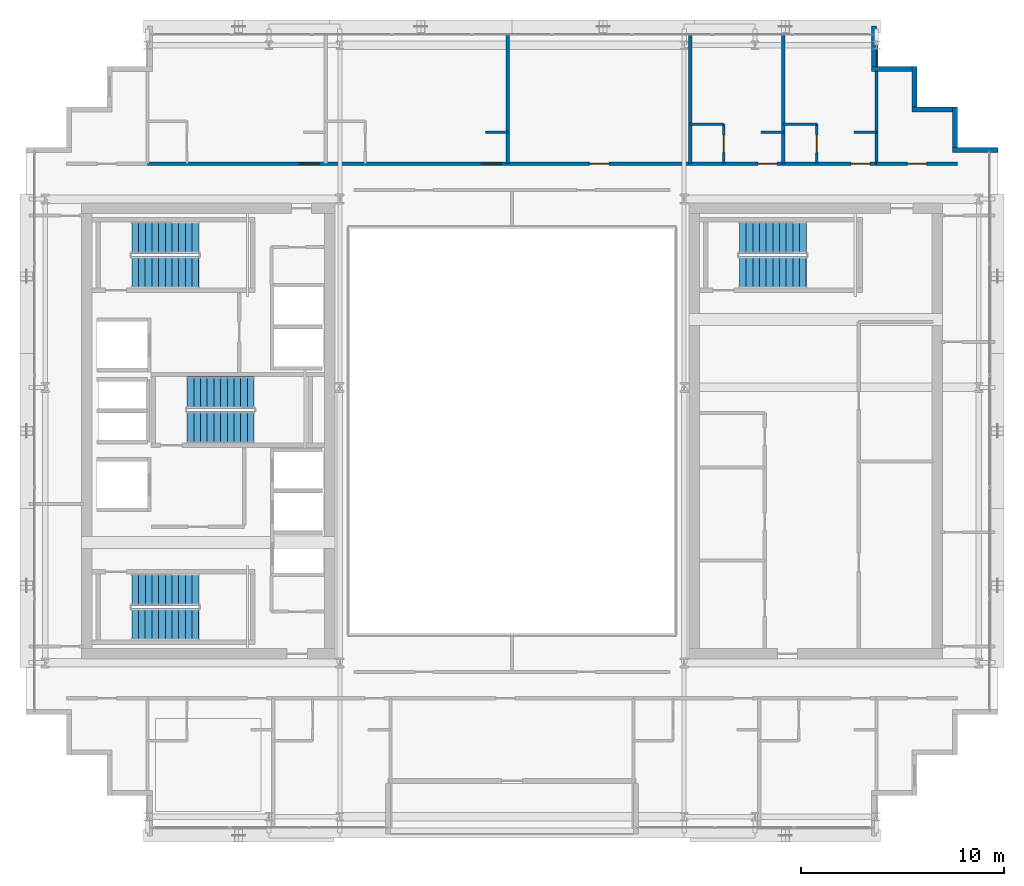
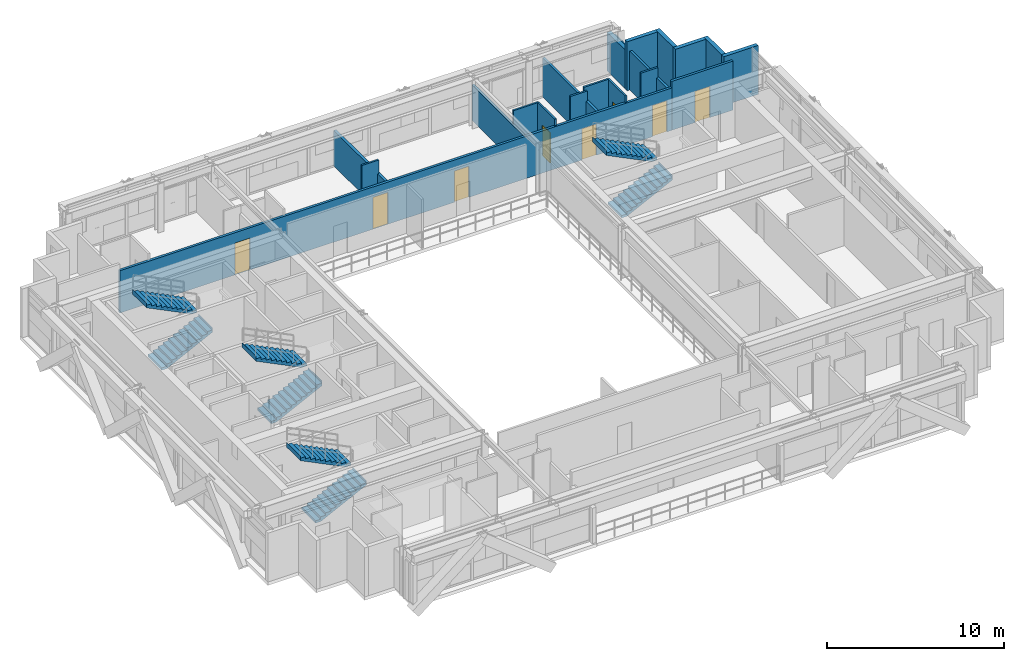
# One storey, part 27 of 31: 19 walls, 8 doors, 8 stair flights, 8 openings, 4 elements without a shape of their own.
"""IFC4 building model written with IfcOpenShell, lengths in metres."""

from ifc_helpers import new_model, si_unit, direction, frame, frame_2d, origin, place, context, subcontext, project, spatial, polyline, rectangle, outline, extrude, source, transform, mapped, material, layer, layer_set, type_object, element, fill, aggregate, save


model = new_model("IFC4")

# Units and contexts
model_context = context("Model", 3, precision=1e-05, world=origin(), true_north=direction((0.0, 1.0)))
body_context = subcontext(model_context, "Body", "Model", "MODEL_VIEW")
ifc_project = project(units=[si_unit("LENGTHUNIT", "METRE"), si_unit("AREAUNIT", "SQUARE_METRE"), si_unit("VOLUMEUNIT", "CUBIC_METRE"), si_unit("PLANEANGLEUNIT", "RADIAN"), si_unit("MASSUNIT", "GRAM", prefix="KILO")], contexts=[model_context])

# Site, building, storey
site_placement = place(None, origin())
site = spatial("IfcSite", under=ifc_project, at=site_placement, CompositionType="ELEMENT")
building_placement = place(site_placement, origin())
building = spatial("IfcBuilding", under=site, at=building_placement, Name="Ocotamira Hotel", CompositionType="ELEMENT")
storey_placement = place(building_placement, frame((0.0, 0.0, 174.0)))
storey = spatial("IfcBuildingStorey", under=building, at=storey_placement, Name="L43", CompositionType="ELEMENT", Elevation=174.0)

# Walls
ifc_material_1 = material(Name="Precast concrete C45/55", Category="concrete")
ifc_layer_1 = layer(ifc_material_1, 0.25)
ifc_layer_set_1 = layer_set([ifc_layer_1], Name="Precast concrete C45/55")
wall_type_1 = type_object("IfcWallType", Name="WL-EXT-SER-250", PredefinedType="SOLIDWALL", material=ifc_layer_set_1)
wall_1_placement = place(storey_placement, frame((56.0, 39.875, 0.0), z_axis=(0.0, 0.0, 1.0), x_axis=(-1.0, 0.0, 0.0)))
element("IfcWall", 1, at=wall_1_placement, inside=storey, type_object=wall_type_1, Name="L43 Serrated Corner Wall 07", PredefinedType="SOLIDWALL", context=body_context, shape_type="SweptSolid", body=[
    extrude(rectangle(XDim=2.25, YDim=0.25, at=frame_2d((1.125, 0.0))), origin(), (0.0, 0.0, 1.0), 3.3701171875),
])
for number, where, z_axis, x_axis, name in (
    (2, (53.875, 40.0, 0.0), (0.0, 0.0, 1.0), (0.0, 1.0, 0.0), "L43 Serrated Corner Wall 08"),
    (3, (53.75, 41.875, 0.0), (0.0, 0.0, 1.0), (-1.0, 0.0, 0.0), "L43 Serrated Corner Wall 09"),
    (4, (51.875, 42.0, 0.0), (0.0, 0.0, 1.0), (0.0, 1.0, 0.0), "L43 Serrated Corner Wall 10"),
    (5, (51.75, 43.875, 0.0), (0.0, 0.0, 1.0), (-1.0, 0.0, 0.0), "L43 Serrated Corner Wall 11"),
):
    element("IfcWall", number, at=place(storey_placement, frame(where, z_axis=z_axis, x_axis=x_axis)), inside=storey, type_object=wall_type_1, Name=name, PredefinedType="SOLIDWALL", context=body_context, shape_type="SweptSolid", body=[
        extrude(rectangle(XDim=2.0, YDim=0.25, at=frame_2d((1.0, 0.0))), origin(), (0.0, 0.0, 1.0), 3.3701171875),
    ])
wall_2_placement = place(storey_placement, frame((49.875, 44.0, 0.0), z_axis=(0.0, 0.0, 1.0), x_axis=(0.0, 1.0, 0.0)))
element("IfcWall", 6, at=wall_2_placement, inside=storey, type_object=wall_type_1, Name="L43 Serrated Corner Wall 12", PredefinedType="SOLIDWALL", context=body_context, shape_type="SweptSolid", body=[
    extrude(rectangle(XDim=2.0, YDim=0.25, at=frame_2d((1.0, 0.0))), origin(), (0.0, 0.0, 1.0), 2.677001953125),
])

# Wall, opening, door
ifc_material_2 = material(Name="Acoustic double-layer fire gypsum board partition", Category="gypsum")
ifc_layer_2 = layer(ifc_material_2, 0.159912109375)
ifc_layer_set_2 = layer_set([ifc_layer_2], Name="Acoustic double-layer fire gypsum board partition")
wall_type_2 = type_object("IfcWallType", Name="WL-FIRE-160", PredefinedType="PARTITIONING", material=ifc_layer_set_2)
wall_3_placement = place(storey_placement, frame((50.0, 39.199951171875, 0.0), z_axis=(0.0, 0.0, 1.0), x_axis=(1.0, 0.0, 0.0)))
wall_3 = element("IfcWall", 7, at=wall_3_placement, inside=storey, type_object=wall_type_2, Name="L43 Interior Wall PW-L43-Z3B-CNE-CW", PredefinedType="PARTITIONING", context=body_context, shape_type="SweptSolid", body=[
    extrude(rectangle(XDim=4.0, YDim=0.159912109375, at=frame_2d((2.0, 0.0))), origin(), (0.0, 0.0, 1.0), 3.3701171875),
])
opening_1_placement = place(wall_3_placement, frame((1.52001953125, 0.0, 0.0)))
opening_1 = element("IfcOpeningElement", 8, at=opening_1_placement, cuts=wall_3, Name="Opening D-SV4", PredefinedType="OPENING", context=body_context, shape_type="SweptSolid", body=[
    extrude(rectangle(XDim=0.9599609375, YDim=2.14990234375, at=frame_2d((0.47998046875, 1.074951171875))), frame((0.0, 0.08984375, 0.0), z_axis=(0.0, -1.0, 0.0), x_axis=(1.0, 0.0, 0.0)), (0.0, 0.0, 1.0), 0.179931640625),
])
ifc_material_3 = material(Name="Fire-rated accessible walnut salon door", Category="wood")
door_type_1 = type_object("IfcDoorType", Name="DR-SERV-960", OperationType="NOTDEFINED", PredefinedType="DOOR", material=ifc_material_3)
shared_shape_1 = source(origin(), body_context, "Body", "SweptSolid", [
    extrude(rectangle(XDim=0.9599609375, YDim=2.14990234375, at=frame_2d((0.47998046875, 1.074951171875))), frame((0.0, 0.02490234375, 0.0), z_axis=(0.0, -1.0, 0.0), x_axis=(1.0, 0.0, 0.0)), (0.0, 0.0, 1.0), 0.050048828125),
])
door_1_placement = place(opening_1_placement, origin())
door_1 = element("IfcDoor", 9, at=door_1_placement, inside=storey, type_object=door_type_1, Name="L43 Door ID-L43-Z3B-CNE-CD [ID-L43-Z3B-CNE-CD]", OperationType="SINGLE_SWING_LEFT", OverallHeight=2.14990234375, OverallWidth=0.9599609375, PredefinedType="DOOR", context=body_context, shape_type="MappedRepresentation", body=[
    mapped(shared_shape_1, transform((0.0, 0.0, 0.0), scale=1.0)),
])
fill(opening_1, door_1)

# Wall, openings, doors
wall_4_placement = place(storey_placement, frame((14.0, 39.199951171875, 0.0), z_axis=(0.0, 0.0, 1.0), x_axis=(1.0, 0.0, 0.0)))
wall_4 = element("IfcWall", 10, at=wall_4_placement, inside=storey, type_object=wall_type_2, Name="L43 Interior Wall PW-L43-Z3BN-CORRW", PredefinedType="PARTITIONING", context=body_context, shape_type="SweptSolid", body=[
    extrude(rectangle(XDim=36.0, YDim=0.159912109375, at=frame_2d((18.0, 0.0))), origin(), (0.0, 0.0, 1.0), 2.9130859375),
])
opening_2_placement = place(wall_4_placement, frame((7.5, 0.0, 0.0)))
opening_2 = element("IfcOpeningElement", 11, at=opening_2_placement, cuts=wall_4, Name="Opening D-GR2", PredefinedType="OPENING", context=body_context, shape_type="SweptSolid", body=[
    extrude(rectangle(XDim=0.97998046875, YDim=2.199951171875, at=frame_2d((0.489990234375, 1.10009765625))), frame((0.0, 0.08984375, 0.0), z_axis=(0.0, -1.0, 0.0), x_axis=(1.0, 0.0, 0.0)), (0.0, 0.0, 1.0), 0.179931640625),
])
opening_3_placement = place(wall_4_placement, frame((16.5, 0.0, 0.0)))
opening_3 = element("IfcOpeningElement", 12, at=opening_3_placement, cuts=wall_4, Name="Opening D-GR2", PredefinedType="OPENING", context=body_context, shape_type="SweptSolid", body=[
    extrude(rectangle(XDim=0.97998046875, YDim=2.199951171875, at=frame_2d((0.489990234375, 1.10009765625))), frame((0.0, 0.08984375, 0.0), z_axis=(0.0, -1.0, 0.0), x_axis=(1.0, 0.0, 0.0)), (0.0, 0.0, 1.0), 0.179931640625),
])
opening_4_placement = place(wall_4_placement, frame((21.820068359375, 0.0, 0.0)))
opening_4 = element("IfcOpeningElement", 13, at=opening_4_placement, cuts=wall_4, Name="Opening D-SV4", PredefinedType="OPENING", context=body_context, shape_type="SweptSolid", body=[
    extrude(rectangle(XDim=0.9599609375, YDim=2.14990234375, at=frame_2d((0.47998046875, 1.074951171875))), frame((0.0, 0.08984375, 0.0), z_axis=(0.0, -1.0, 0.0), x_axis=(1.0, 0.0, 0.0)), (0.0, 0.0, 1.0), 0.179931640625),
])
opening_5_placement = place(wall_4_placement, frame((30.139892578125, 0.0, 0.0)))
opening_5 = element("IfcOpeningElement", 14, at=opening_5_placement, cuts=wall_4, Name="Opening D-GR1", PredefinedType="OPENING", context=body_context, shape_type="SweptSolid", body=[
    extrude(rectangle(XDim=0.93994140625, YDim=2.14990234375, at=frame_2d((0.469970703125, 1.074951171875))), frame((0.0, 0.08984375, 0.0), z_axis=(0.0, -1.0, 0.0), x_axis=(1.0, 0.0, 0.0)), (0.0, 0.0, 1.0), 0.179931640625),
])
opening_6_placement = place(wall_4_placement, frame((34.739990234375, 0.0, 0.0)))
opening_6 = element("IfcOpeningElement", 15, at=opening_6_placement, cuts=wall_4, Name="Opening D-GR1", PredefinedType="OPENING", context=body_context, shape_type="SweptSolid", body=[
    extrude(rectangle(XDim=0.93994140625, YDim=2.14990234375, at=frame_2d((0.469970703125, 1.074951171875))), frame((0.0, 0.08984375, 0.0), z_axis=(0.0, -1.0, 0.0), x_axis=(1.0, 0.0, 0.0)), (0.0, 0.0, 1.0), 0.179931640625),
])
door_2_placement = place(opening_4_placement, origin())
door_2 = element("IfcDoor", 16, at=door_2_placement, inside=storey, type_object=door_type_1, Name="L43 Door ID-L43-Z3BN-AMD3 [ID-L43-Z3BN-AMD3]", OperationType="SINGLE_SWING_LEFT", OverallHeight=2.14990234375, OverallWidth=0.9599609375, PredefinedType="DOOR", context=body_context, shape_type="MappedRepresentation", body=[
    mapped(shared_shape_1, transform((0.0, 0.0, 0.0), scale=1.0)),
])
fill(opening_4, door_2)
ifc_material_4 = material(Name="Solid-core walnut suite entrance fire door", Category="wood")
door_type_2 = type_object("IfcDoorType", Name="DR-GUEST-940", OperationType="NOTDEFINED", PredefinedType="DOOR", material=ifc_material_4)
shared_shape_2 = source(origin(), body_context, "Body", "SweptSolid", [
    extrude(rectangle(XDim=0.93994140625, YDim=2.14990234375, at=frame_2d((0.469970703125, 1.074951171875))), frame((0.0, 0.02490234375, 0.0), z_axis=(0.0, -1.0, 0.0), x_axis=(1.0, 0.0, 0.0)), (0.0, 0.0, 1.0), 0.050048828125),
])
door_3_placement = place(opening_5_placement, origin())
door_3 = element("IfcDoor", 17, at=door_3_placement, inside=storey, type_object=door_type_2, Name="L43 Door ID-L43-Z3BN-RMD4 [ID-L43-Z3BN-RMD4]", OperationType="SINGLE_SWING_RIGHT", OverallHeight=2.14990234375, OverallWidth=0.93994140625, PredefinedType="DOOR", context=body_context, shape_type="MappedRepresentation", body=[
    mapped(shared_shape_2, transform((0.0, 0.0, 0.0), scale=1.0)),
])
fill(opening_5, door_3)
door_4_placement = place(opening_6_placement, origin())
door_4 = element("IfcDoor", 18, at=door_4_placement, inside=storey, type_object=door_type_2, Name="L43 Door ID-L43-Z3BN-RMD5 [ID-L43-Z3BN-RMD5]", OperationType="SINGLE_SWING_LEFT", OverallHeight=2.14990234375, OverallWidth=0.93994140625, PredefinedType="DOOR", context=body_context, shape_type="MappedRepresentation", body=[
    mapped(shared_shape_2, transform((0.0, 0.0, 0.0), scale=1.0)),
])
fill(opening_6, door_4)
ifc_material_5 = material(Name="Solid-core walnut grand-suite entrance fire door", Category="wood")
door_type_3 = type_object("IfcDoorType", Name="DR-GUEST-980", OperationType="NOTDEFINED", PredefinedType="DOOR", material=ifc_material_5)
shared_shape_3 = source(origin(), body_context, "Body", "SweptSolid", [
    extrude(rectangle(XDim=0.97998046875, YDim=2.199951171875, at=frame_2d((0.489990234375, 1.10009765625))), frame((0.0, 0.02490234375, 0.0), z_axis=(0.0, -1.0, 0.0), x_axis=(1.0, 0.0, 0.0)), (0.0, 0.0, 1.0), 0.050048828125),
])
door_5_placement = place(opening_2_placement, origin())
door_5 = element("IfcDoor", 19, at=door_5_placement, inside=storey, type_object=door_type_3, Name="L43 Door ID-L43-Z3BN-RMD1 [ID-L43-Z3BN-RMD1]", OperationType="SINGLE_SWING_LEFT", OverallHeight=2.199951171875, OverallWidth=0.97998046875, PredefinedType="DOOR", context=body_context, shape_type="MappedRepresentation", body=[
    mapped(shared_shape_3, transform((0.0, 0.0, 0.0), scale=1.0)),
])
fill(opening_2, door_5)
door_6_placement = place(opening_3_placement, origin())
door_6 = element("IfcDoor", 20, at=door_6_placement, inside=storey, type_object=door_type_3, Name="L43 Door ID-L43-Z3BN-RMD2 [ID-L43-Z3BN-RMD2]", OperationType="SINGLE_SWING_RIGHT", OverallHeight=2.199951171875, OverallWidth=0.97998046875, PredefinedType="DOOR", context=body_context, shape_type="MappedRepresentation", body=[
    mapped(shared_shape_3, transform((0.0, 0.0, 0.0), scale=1.0)),
])
fill(opening_3, door_6)

# Wall
ifc_material_6 = material(Name="Moisture-resistant en-suite tile and gypsum partition", Category="gypsum")
ifc_layer_3 = layer(ifc_material_6, 0.1201171875)
ifc_layer_set_3 = layer_set([ifc_layer_3], Name="Moisture-resistant en-suite tile and gypsum partition")
wall_type_3 = type_object("IfcWallType", Name="WL-PART-120", PredefinedType="PARTITIONING", material=ifc_layer_set_3)
wall_5_placement = place(storey_placement, frame((30.699951171875, 40.75, 0.0), z_axis=(0.0, 0.0, 1.0), x_axis=(1.0, 0.0, 0.0)))
element("IfcWall", 21, at=wall_5_placement, inside=storey, type_object=wall_type_3, Name="L43 Interior Wall PW-L43-Z3BN-DRN2", PredefinedType="PARTITIONING", context=body_context, shape_type="SweptSolid", body=[
    extrude(rectangle(XDim=1.10009765625, YDim=0.1201171875, at=frame_2d((0.550048828125, 0.0))), origin(), (0.0, 0.0, 1.0), 3.3701171875),
])

# Wall, opening, door
wall_6_placement = place(storey_placement, frame((42.449951171875, 39.199951171875, 0.0), z_axis=(0.0, 0.0, 1.0), x_axis=(0.0, 1.0, 0.0)))
wall_6 = element("IfcWall", 22, at=wall_6_placement, inside=storey, type_object=wall_type_3, Name="L43 Interior Wall PW-L43-Z3BN-BAE4", PredefinedType="PARTITIONING", context=body_context, shape_type="SweptSolid", body=[
    extrude(rectangle(XDim=1.949951171875, YDim=0.1201171875, at=frame_2d((0.97509765625, 0.0))), origin(), (0.0, 0.0, 1.0), 3.3701171875),
])
opening_7_placement = place(wall_6_placement, frame((0.544921875, 0.0, 0.0)))
opening_7 = element("IfcOpeningElement", 23, at=opening_7_placement, cuts=wall_6, Name="Opening D-BA1", PredefinedType="OPENING", context=body_context, shape_type="SweptSolid", body=[
    extrude(rectangle(XDim=0.860107421875, YDim=2.10009765625, at=frame_2d((0.43017578125, 1.050048828125))), frame((0.0, 0.070068359375, 0.0), z_axis=(0.0, -1.0, 0.0), x_axis=(1.0, 0.0, 0.0)), (0.0, 0.0, 1.0), 0.14013671875),
])
ifc_material_7 = material(Name="Moisture-sealed en-suite timber door", Category="wood")
door_type_4 = type_object("IfcDoorType", Name="DR-BATH-860", OperationType="NOTDEFINED", PredefinedType="DOOR", material=ifc_material_7)
shared_shape_4 = source(origin(), body_context, "Body", "SweptSolid", [
    extrude(rectangle(XDim=0.860107421875, YDim=2.10009765625, at=frame_2d((0.43017578125, 1.050048828125))), frame((0.0, 0.02490234375, 0.0), z_axis=(0.0, -1.0, 0.0), x_axis=(1.0, 0.0, 0.0)), (0.0, 0.0, 1.0), 0.050048828125),
])
door_7_placement = place(opening_7_placement, origin())
door_7 = element("IfcDoor", 24, at=door_7_placement, inside=storey, type_object=door_type_4, Name="L43 Door ID-L43-Z3BN-BAD4 [ID-L43-Z3BN-BAD4]", OperationType="SINGLE_SWING_LEFT", OverallHeight=2.10009765625, OverallWidth=0.860107421875, PredefinedType="DOOR", context=body_context, shape_type="MappedRepresentation", body=[
    mapped(shared_shape_4, transform((0.0, 0.0, 0.0), scale=1.0)),
])
fill(opening_7, door_7)

# Walls
wall_7_placement = place(storey_placement, frame((40.800048828125, 41.14990234375, 0.0), z_axis=(0.0, 0.0, 1.0), x_axis=(1.0, 0.0, 0.0)))
element("IfcWall", 25, at=wall_7_placement, inside=storey, type_object=wall_type_3, Name="L43 Interior Wall PW-L43-Z3BN-BAN4", PredefinedType="PARTITIONING", context=body_context, shape_type="SweptSolid", body=[
    extrude(rectangle(XDim=1.64990234375, YDim=0.1201171875, at=frame_2d((0.824951171875, 0.0))), origin(), (0.0, 0.0, 1.0), 3.3701171875),
])
wall_8_placement = place(storey_placement, frame((44.300048828125, 40.75, 0.0), z_axis=(0.0, 0.0, 1.0), x_axis=(1.0, 0.0, 0.0)))
element("IfcWall", 26, at=wall_8_placement, inside=storey, type_object=wall_type_3, Name="L43 Interior Wall PW-L43-Z3BN-DRN4", PredefinedType="PARTITIONING", context=body_context, shape_type="SweptSolid", body=[
    extrude(rectangle(XDim=1.099853515625, YDim=0.1201171875, at=frame_2d((0.5498046875, 0.0))), origin(), (0.0, 0.0, 1.0), 3.3701171875),
])

# Wall, opening, door
wall_9_placement = place(storey_placement, frame((47.050048828125, 39.199951171875, 0.0), z_axis=(0.0, 0.0, 1.0), x_axis=(0.0, 1.0, 0.0)))
wall_9 = element("IfcWall", 27, at=wall_9_placement, inside=storey, type_object=wall_type_3, Name="L43 Interior Wall PW-L43-Z3BN-BAE5", PredefinedType="PARTITIONING", context=body_context, shape_type="SweptSolid", body=[
    extrude(rectangle(XDim=1.949951171875, YDim=0.1201171875, at=frame_2d((0.97509765625, 0.0))), origin(), (0.0, 0.0, 1.0), 3.3701171875),
])
opening_8_placement = place(wall_9_placement, frame((0.544921875, 0.0, 0.0)))
opening_8 = element("IfcOpeningElement", 28, at=opening_8_placement, cuts=wall_9, Name="Opening D-BA1", PredefinedType="OPENING", context=body_context, shape_type="SweptSolid", body=[
    extrude(rectangle(XDim=0.860107421875, YDim=2.10009765625, at=frame_2d((0.43017578125, 1.050048828125))), frame((0.0, 0.070068359375, 0.0), z_axis=(0.0, -1.0, 0.0), x_axis=(1.0, 0.0, 0.0)), (0.0, 0.0, 1.0), 0.14013671875),
])
door_8_placement = place(opening_8_placement, origin())
door_8 = element("IfcDoor", 29, at=door_8_placement, inside=storey, type_object=door_type_4, Name="L43 Door ID-L43-Z3BN-BAD5 [ID-L43-Z3BN-BAD5]", OperationType="SINGLE_SWING_RIGHT", OverallHeight=2.10009765625, OverallWidth=0.860107421875, PredefinedType="DOOR", context=body_context, shape_type="MappedRepresentation", body=[
    mapped(shared_shape_4, transform((0.0, 0.0, 0.0), scale=1.0)),
])
fill(opening_8, door_8)

# Walls
wall_10_placement = place(storey_placement, frame((45.39990234375, 41.14990234375, 0.0), z_axis=(0.0, 0.0, 1.0), x_axis=(1.0, 0.0, 0.0)))
element("IfcWall", 30, at=wall_10_placement, inside=storey, type_object=wall_type_3, Name="L43 Interior Wall PW-L43-Z3BN-BAN5", PredefinedType="PARTITIONING", context=body_context, shape_type="SweptSolid", body=[
    extrude(rectangle(XDim=1.650146484375, YDim=0.1201171875, at=frame_2d((0.8251953125, 0.0))), origin(), (0.0, 0.0, 1.0), 3.3701171875),
])
wall_11_placement = place(storey_placement, frame((48.89990234375, 40.75, 0.0), z_axis=(0.0, 0.0, 1.0), x_axis=(1.0, 0.0, 0.0)))
element("IfcWall", 31, at=wall_11_placement, inside=storey, type_object=wall_type_3, Name="L43 Interior Wall PW-L43-Z3BN-DRN5", PredefinedType="PARTITIONING", context=body_context, shape_type="SweptSolid", body=[
    extrude(rectangle(XDim=1.10009765625, YDim=0.1201171875, at=frame_2d((0.550048828125, 0.0))), origin(), (0.0, 0.0, 1.0), 3.3701171875),
])
ifc_material_8 = material(Name="Acoustic double-stud hospitality gypsum partition", Category="gypsum")
ifc_layer_4 = layer(ifc_material_8, 0.159912109375)
ifc_layer_set_4 = layer_set([ifc_layer_4], Name="Acoustic double-stud hospitality gypsum partition")
wall_type_4 = type_object("IfcWallType", Name="WL-PART-160", PredefinedType="PARTITIONING", material=ifc_layer_set_4)
wall_12_placement = place(storey_placement, frame((50.0, 39.199951171875, 0.0), z_axis=(0.0, 0.0, 1.0), x_axis=(0.0, 1.0, 0.0)))
element("IfcWall", 32, at=wall_12_placement, inside=storey, type_object=wall_type_4, Name="L43 Interior Wall PW-L43-Z3BN-PWEND", PredefinedType="PARTITIONING", context=body_context, shape_type="SweptSolid", body=[
    extrude(rectangle(XDim=6.43994140625, YDim=0.159912109375, at=frame_2d((3.219970703125, 0.0))), origin(), (0.0, 0.0, 1.0), 2.677001953125),
])
wall_13_placement = place(storey_placement, frame((40.800048828125, 39.199951171875, 0.0), z_axis=(0.0, 0.0, 1.0), x_axis=(0.0, 1.0, 0.0)))
element("IfcWall", 33, at=wall_13_placement, inside=storey, type_object=wall_type_4, Name="L43 Interior Wall PW-L43-Z3BN-PW3", PredefinedType="PARTITIONING", context=body_context, shape_type="SweptSolid", body=[
    extrude(rectangle(XDim=6.43994140625, YDim=0.159912109375, at=frame_2d((3.219970703125, 0.0))), origin(), (0.0, 0.0, 1.0), 2.443115234375),
])
wall_14_placement = place(storey_placement, frame((45.39990234375, 39.199951171875, 0.0), z_axis=(0.0, 0.0, 1.0), x_axis=(0.0, 1.0, 0.0)))
element("IfcWall", 34, at=wall_14_placement, inside=storey, type_object=wall_type_4, Name="L43 Interior Wall PW-L43-Z3BN-PW4", PredefinedType="PARTITIONING", context=body_context, shape_type="SweptSolid", body=[
    extrude(rectangle(XDim=6.43994140625, YDim=0.159912109375, at=frame_2d((3.219970703125, 0.0))), origin(), (0.0, 0.0, 1.0), 2.677001953125),
])
ifc_material_9 = material(Name="Double-stud suite party gypsum partition", Category="gypsum")
ifc_layer_5 = layer(ifc_material_9, 0.175048828125)
ifc_layer_set_5 = layer_set([ifc_layer_5], Name="Double-stud suite party gypsum partition")
wall_type_5 = type_object("IfcWallType", Name="WL-PART-175", PredefinedType="PARTITIONING", material=ifc_layer_set_5)
wall_15_placement = place(storey_placement, frame((31.800048828125, 39.199951171875, 0.0), z_axis=(0.0, 0.0, 1.0), x_axis=(0.0, 1.0, 0.0)))
element("IfcWall", 35, at=wall_15_placement, inside=storey, type_object=wall_type_5, Name="L43 Interior Wall PW-L43-Z3BN-PW2", PredefinedType="PARTITIONING", context=body_context, shape_type="SweptSolid", body=[
    extrude(rectangle(XDim=6.43994140625, YDim=0.175048828125, at=frame_2d((3.219970703125, 0.0))), origin(), (0.0, 0.0, 1.0), 2.443115234375),
])

# Stair, stair flights
ifc_material_10 = material(Name="Concrete C40/50", Category="concrete")
stair_type = type_object("IfcStairType", Name="ST-CORE-1560", PredefinedType="HALF_TURN_STAIR", material=ifc_material_10)
stair_1_placement = place(storey_placement, origin())
stair_1 = element("IfcStair", 36, at=stair_1_placement, inside=storey, type_object=stair_type, Name="L43 Exit Stair ST-1", PredefinedType="HALF_TURN_STAIR")
stair_flight_type = type_object("IfcStairFlightType", Name="STF-CORE-1560", PredefinedType="STRAIGHT", material=ifc_material_10)
shared_shape_5 = source(origin(), body_context, "Body", "SweptSolid", [
    extrude(outline(polyline([(-0.00390625, 0.0), (-0.00390625, 0.16357421875), (0.330078125, 0.16357421875), (0.330078125, 0.327392578125), (0.659912109375, 0.327392578125), (0.659912109375, 0.490966796875), (0.989990234375, 0.490966796875), (0.989990234375, 0.654541015625), (1.320068359375, 0.654541015625), (1.320068359375, 0.818115234375), (1.64990234375, 0.818115234375), (1.64990234375, 0.98193359375), (1.97998046875, 0.98193359375), (1.97998046875, 1.1455078125), (2.31005859375, 1.1455078125), (2.31005859375, 1.30908203125), (2.639892578125, 1.30908203125), (2.639892578125, 1.47265625), (2.969970703125, 1.47265625), (2.969970703125, 1.636474609375), (3.300048828125, 1.636474609375), (3.300048828125, 1.800048828125), (3.303955078125, 1.800048828125), (3.303955078125, 1.468994140625), (0.33740234375, 0.0), (-0.00390625, 0.0)])), frame((0.0, 0.780029296875, 0.0), z_axis=(0.0, -1.0, 0.0), x_axis=(1.0, 0.0, 0.0)), (0.0, 0.0, 1.0), 1.56005859375),
])
stair_flight_1_placement = place(storey_placement, frame((13.22998046875, 16.449951171875, 0.0), z_axis=(0.0, 0.0, 1.0), x_axis=(1.0, 0.0, 0.0)))
stair_flight_1 = element("IfcStairFlight", 37, at=stair_flight_1_placement, type_object=stair_flight_type, Name="ST-1 flight 1", NumberOfRisers=11, NumberOfTreads=10, PredefinedType="STRAIGHT", RiserHeight=0.163636364, TreadLength=0.33, context=body_context, shape_type="MappedRepresentation", body=[
    mapped(shared_shape_5, transform((0.0, 0.0, 0.0), scale=1.0)),
])
stair_flight_2_placement = place(storey_placement, frame((16.530029296875, 18.169921875, 1.800048828125), z_axis=(0.0, 0.0, 1.0), x_axis=(-1.0, 0.0, 0.0)))
stair_flight_2 = element("IfcStairFlight", 38, at=stair_flight_2_placement, type_object=stair_flight_type, Name="ST-1 flight 2", NumberOfRisers=11, NumberOfTreads=10, PredefinedType="STRAIGHT", RiserHeight=0.163636364, TreadLength=0.33, context=body_context, shape_type="MappedRepresentation", body=[
    mapped(shared_shape_5, transform((0.0, 0.0, 0.0), scale=1.0)),
])
aggregate(stair_1, [stair_flight_1, stair_flight_2])

stair_2_placement = place(storey_placement, origin())
stair_2 = element("IfcStair", 39, at=stair_2_placement, inside=storey, type_object=stair_type, Name="L43 Exit Stair ST-2", PredefinedType="HALF_TURN_STAIR")
stair_flight_3_placement = place(storey_placement, frame((13.22998046875, 33.830078125, 0.0), z_axis=(0.0, 0.0, 1.0), x_axis=(1.0, 0.0, 0.0)))
stair_flight_3 = element("IfcStairFlight", 40, at=stair_flight_3_placement, type_object=stair_flight_type, Name="ST-2 flight 1", NumberOfRisers=11, NumberOfTreads=10, PredefinedType="STRAIGHT", RiserHeight=0.163636364, TreadLength=0.33, context=body_context, shape_type="MappedRepresentation", body=[
    mapped(shared_shape_5, transform((0.0, 0.0, 0.0), scale=1.0)),
])
stair_flight_4_placement = place(storey_placement, frame((16.530029296875, 35.550048828125, 1.800048828125), z_axis=(0.0, 0.0, 1.0), x_axis=(-1.0, 0.0, 0.0)))
stair_flight_4 = element("IfcStairFlight", 41, at=stair_flight_4_placement, type_object=stair_flight_type, Name="ST-2 flight 2", NumberOfRisers=11, NumberOfTreads=10, PredefinedType="STRAIGHT", RiserHeight=0.163636364, TreadLength=0.33, context=body_context, shape_type="MappedRepresentation", body=[
    mapped(shared_shape_5, transform((0.0, 0.0, 0.0), scale=1.0)),
])
aggregate(stair_2, [stair_flight_3, stair_flight_4])

stair_3_placement = place(storey_placement, origin())
stair_3 = element("IfcStair", 42, at=stair_3_placement, inside=storey, type_object=stair_type, Name="L43 Exit Stair ST-3", PredefinedType="HALF_TURN_STAIR")
stair_flight_5_placement = place(storey_placement, frame((15.9599609375, 26.179931640625, 0.0), z_axis=(0.0, 0.0, 1.0), x_axis=(1.0, 0.0, 0.0)))
stair_flight_5 = element("IfcStairFlight", 43, at=stair_flight_5_placement, type_object=stair_flight_type, Name="ST-3 flight 1", NumberOfRisers=11, NumberOfTreads=10, PredefinedType="STRAIGHT", RiserHeight=0.163636364, TreadLength=0.33, context=body_context, shape_type="MappedRepresentation", body=[
    mapped(shared_shape_5, transform((0.0, 0.0, 0.0), scale=1.0)),
])
stair_flight_6_placement = place(storey_placement, frame((19.260009765625, 27.89990234375, 1.800048828125), z_axis=(0.0, 0.0, 1.0), x_axis=(-1.0, 0.0, 0.0)))
stair_flight_6 = element("IfcStairFlight", 44, at=stair_flight_6_placement, type_object=stair_flight_type, Name="ST-3 flight 2", NumberOfRisers=11, NumberOfTreads=10, PredefinedType="STRAIGHT", RiserHeight=0.163636364, TreadLength=0.33, context=body_context, shape_type="MappedRepresentation", body=[
    mapped(shared_shape_5, transform((0.0, 0.0, 0.0), scale=1.0)),
])
aggregate(stair_3, [stair_flight_5, stair_flight_6])

stair_4_placement = place(storey_placement, origin())
stair_4 = element("IfcStair", 45, at=stair_4_placement, inside=storey, type_object=stair_type, Name="L43 Exit Stair ST-4", PredefinedType="HALF_TURN_STAIR")
stair_flight_7_placement = place(storey_placement, frame((43.22998046875, 33.830078125, 0.0), z_axis=(0.0, 0.0, 1.0), x_axis=(1.0, 0.0, 0.0)))
stair_flight_7 = element("IfcStairFlight", 46, at=stair_flight_7_placement, type_object=stair_flight_type, Name="ST-4 flight 1", NumberOfRisers=11, NumberOfTreads=10, PredefinedType="STRAIGHT", RiserHeight=0.163636364, TreadLength=0.33, context=body_context, shape_type="MappedRepresentation", body=[
    mapped(shared_shape_5, transform((0.0, 0.0, 0.0), scale=1.0)),
])
stair_flight_8_placement = place(storey_placement, frame((46.530029296875, 35.550048828125, 1.800048828125), z_axis=(0.0, 0.0, 1.0), x_axis=(-1.0, 0.0, 0.0)))
stair_flight_8 = element("IfcStairFlight", 47, at=stair_flight_8_placement, type_object=stair_flight_type, Name="ST-4 flight 2", NumberOfRisers=11, NumberOfTreads=10, PredefinedType="STRAIGHT", RiserHeight=0.163636364, TreadLength=0.33, context=body_context, shape_type="MappedRepresentation", body=[
    mapped(shared_shape_5, transform((0.0, 0.0, 0.0), scale=1.0)),
])
aggregate(stair_4, [stair_flight_7, stair_flight_8])

save(model, "model.ifc")
